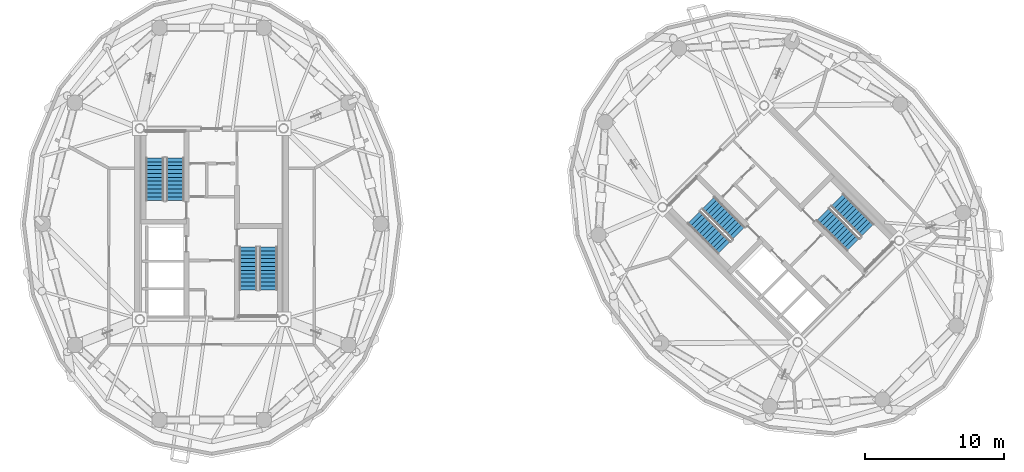
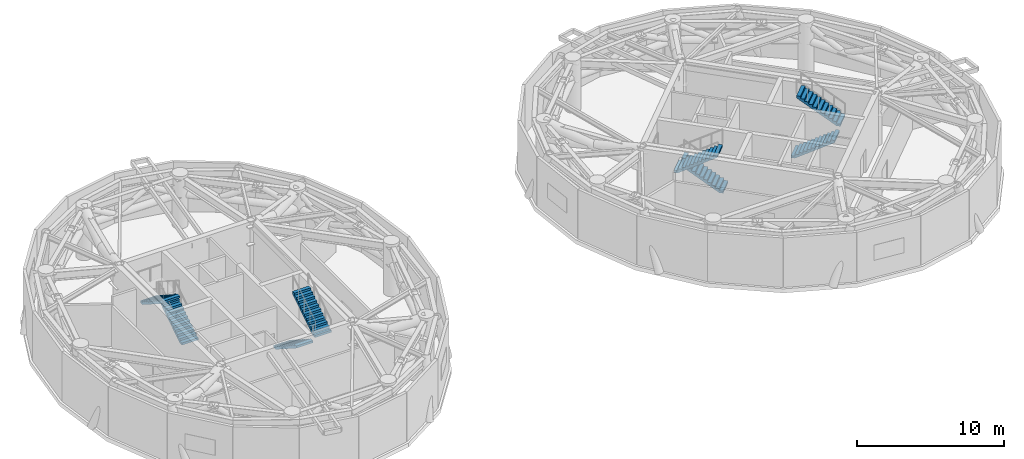
# One storey, part 11 of 14: 8 stair flights, 4 elements without a shape of their own.
"""IFC4 building model written with IfcOpenShell, lengths in metres."""

from ifc_helpers import new_model, si_unit, direction, frame, origin, place, context, subcontext, project, spatial, polyline, outline, extrude, material, type_object, element, aggregate, save


model = new_model("IFC4")

# Units and contexts
model_context = context("Model", 3, precision=1e-05, world=origin(), true_north=direction((0.0, 1.0)))
body_context = subcontext(model_context, "Body", "Model", "MODEL_VIEW")
ifc_project = project(units=[si_unit("LENGTHUNIT", "METRE"), si_unit("AREAUNIT", "SQUARE_METRE"), si_unit("VOLUMEUNIT", "CUBIC_METRE"), si_unit("PLANEANGLEUNIT", "RADIAN"), si_unit("MASSUNIT", "GRAM", prefix="KILO")], contexts=[model_context])

# Site, building, storey
site_placement = place(None, origin())
site = spatial("IfcSite", under=ifc_project, at=site_placement, CompositionType="ELEMENT")
building_placement = place(site_placement, origin())
building = spatial("IfcBuilding", under=site, at=building_placement, Name="Cununo Teusaquillo Station Towers", CompositionType="ELEMENT")
storey_placement = place(building_placement, frame((0.0, 0.0, 192.340087890625)))
storey = spatial("IfcBuildingStorey", under=building, at=storey_placement, Name="L61", CompositionType="ELEMENT", Elevation=192.340087890625)

# Stair, stair flights
ifc_material_1 = material(Name="Concrete C50/60", Category="concrete")
stair_type = type_object("IfcStairType", Name="ST-TWR-1300", PredefinedType="HALF_TURN_STAIR", material=ifc_material_1)
stair_1_placement = place(storey_placement, origin())
stair_1 = element("IfcStair", 1, at=stair_1_placement, inside=storey, type_object=stair_type, Name="L61 Tower A Protected Core Exit Stair 1", PredefinedType="HALF_TURN_STAIR")
ifc_material_2 = material(Name="Concrete C50/60", Category="concrete")
stair_flight_type = type_object("IfcStairFlightType", Name="SFL-TWR-1300", PredefinedType="STRAIGHT", material=ifc_material_2)
stair_flight_1_placement = place(storey_placement, frame((13.8701171875, 26.169921875, 0.0), z_axis=(0.0, 0.0, 1.0), x_axis=(0.0, 1.0, 0.0)))
stair_flight_1 = element("IfcStairFlight", 2, at=stair_flight_1_placement, type_object=stair_flight_type, Name="ST-T1-1 flight 1", NumberOfRisers=12, NumberOfTreads=11, PredefinedType="STRAIGHT", RiserHeight=0.18, TreadLength=0.28, context=body_context, shape_type="SweptSolid", body=[
    extrude(outline(polyline([(0.0, 0.0), (0.0, 0.179931640625), (0.280029296875, 0.179931640625), (0.280029296875, 0.360107421875), (0.56005859375, 0.360107421875), (0.56005859375, 0.5400390625), (0.840087890625, 0.5400390625), (0.840087890625, 0.719970703125), (1.1201171875, 0.719970703125), (1.1201171875, 0.89990234375), (1.39990234375, 0.89990234375), (1.39990234375, 1.080078125), (1.679931640625, 1.080078125), (1.679931640625, 1.260009765625), (1.9599609375, 1.260009765625), (1.9599609375, 1.43994140625), (2.239990234375, 1.43994140625), (2.239990234375, 1.6201171875), (2.52001953125, 1.6201171875), (2.52001953125, 1.800048828125), (2.800048828125, 1.800048828125), (2.800048828125, 1.97998046875), (3.080078125, 1.97998046875), (3.080078125, 2.159912109375), (3.080078125, 1.8017578125), (0.277099609375, 0.0), (0.0, 0.0)])), frame((0.0, 0.64990234375, 0.0), z_axis=(0.0, -1.0, 0.0), x_axis=(1.0, 0.0, 0.0)), (0.0, 0.0, 1.0), 1.300048828125),
])
stair_flight_2_placement = place(storey_placement, frame((12.409912109375, 29.25, 2.159912109375), z_axis=(0.0, 0.0, 1.0), x_axis=(0.0, -1.0, 0.0)))
stair_flight_2 = element("IfcStairFlight", 3, at=stair_flight_2_placement, type_object=stair_flight_type, Name="ST-T1-1 flight 2", NumberOfRisers=12, NumberOfTreads=11, PredefinedType="STRAIGHT", RiserHeight=0.18, TreadLength=0.28, context=body_context, shape_type="SweptSolid", body=[
    extrude(outline(polyline([(0.0, 0.0), (0.0, 0.179931640625), (0.280029296875, 0.179931640625), (0.280029296875, 0.360107421875), (0.56005859375, 0.360107421875), (0.56005859375, 0.5400390625), (0.840087890625, 0.5400390625), (0.840087890625, 0.719970703125), (1.1201171875, 0.719970703125), (1.1201171875, 0.89990234375), (1.39990234375, 0.89990234375), (1.39990234375, 1.080078125), (1.679931640625, 1.080078125), (1.679931640625, 1.260009765625), (1.9599609375, 1.260009765625), (1.9599609375, 1.43994140625), (2.239990234375, 1.43994140625), (2.239990234375, 1.6201171875), (2.52001953125, 1.6201171875), (2.52001953125, 1.800048828125), (2.800048828125, 1.800048828125), (2.800048828125, 1.97998046875), (3.080078125, 1.97998046875), (3.080078125, 2.159912109375), (3.080078125, 1.8017578125), (0.277099609375, 0.0), (0.0, 0.0)])), frame((0.0, 0.64990234375, 0.0), z_axis=(0.0, -1.0, 0.0), x_axis=(1.0, 0.0, 0.0)), (0.0, 0.0, 1.0), 1.300048828125),
])
aggregate(stair_1, [stair_flight_1, stair_flight_2])

stair_2_placement = place(storey_placement, origin())
stair_2 = element("IfcStair", 4, at=stair_2_placement, inside=storey, type_object=stair_type, Name="L61 Tower A Protected Core Exit Stair 2", PredefinedType="HALF_TURN_STAIR")
stair_flight_3_placement = place(storey_placement, frame((19.1298828125, 22.830078125, 0.0), z_axis=(0.0, 0.0, 1.0), x_axis=(0.0, -1.0, 0.0)))
stair_flight_3 = element("IfcStairFlight", 5, at=stair_flight_3_placement, type_object=stair_flight_type, Name="ST-T1-2 flight 1", NumberOfRisers=12, NumberOfTreads=11, PredefinedType="STRAIGHT", RiserHeight=0.18, TreadLength=0.28, context=body_context, shape_type="SweptSolid", body=[
    extrude(outline(polyline([(0.0, 0.0), (0.0, 0.179931640625), (0.280029296875, 0.179931640625), (0.280029296875, 0.360107421875), (0.56005859375, 0.360107421875), (0.56005859375, 0.5400390625), (0.840087890625, 0.5400390625), (0.840087890625, 0.719970703125), (1.1201171875, 0.719970703125), (1.1201171875, 0.89990234375), (1.39990234375, 0.89990234375), (1.39990234375, 1.080078125), (1.679931640625, 1.080078125), (1.679931640625, 1.260009765625), (1.9599609375, 1.260009765625), (1.9599609375, 1.43994140625), (2.239990234375, 1.43994140625), (2.239990234375, 1.6201171875), (2.52001953125, 1.6201171875), (2.52001953125, 1.800048828125), (2.800048828125, 1.800048828125), (2.800048828125, 1.97998046875), (3.080078125, 1.97998046875), (3.080078125, 2.159912109375), (3.080078125, 1.8017578125), (0.277099609375, 0.0), (0.0, 0.0)])), frame((0.0, 0.64990234375, 0.0), z_axis=(0.0, -1.0, 0.0), x_axis=(1.0, 0.0, 0.0)), (0.0, 0.0, 1.0), 1.300048828125),
])
stair_flight_4_placement = place(storey_placement, frame((20.590087890625, 19.75, 2.159912109375), z_axis=(0.0, 0.0, 1.0), x_axis=(0.0, 1.0, 0.0)))
stair_flight_4 = element("IfcStairFlight", 6, at=stair_flight_4_placement, type_object=stair_flight_type, Name="ST-T1-2 flight 2", NumberOfRisers=12, NumberOfTreads=11, PredefinedType="STRAIGHT", RiserHeight=0.18, TreadLength=0.28, context=body_context, shape_type="SweptSolid", body=[
    extrude(outline(polyline([(0.0, 0.0), (0.0, 0.179931640625), (0.280029296875, 0.179931640625), (0.280029296875, 0.360107421875), (0.56005859375, 0.360107421875), (0.56005859375, 0.5400390625), (0.840087890625, 0.5400390625), (0.840087890625, 0.719970703125), (1.1201171875, 0.719970703125), (1.1201171875, 0.89990234375), (1.39990234375, 0.89990234375), (1.39990234375, 1.080078125), (1.679931640625, 1.080078125), (1.679931640625, 1.260009765625), (1.9599609375, 1.260009765625), (1.9599609375, 1.43994140625), (2.239990234375, 1.43994140625), (2.239990234375, 1.6201171875), (2.52001953125, 1.6201171875), (2.52001953125, 1.800048828125), (2.800048828125, 1.800048828125), (2.800048828125, 1.97998046875), (3.080078125, 1.97998046875), (3.080078125, 2.159912109375), (3.080078125, 1.8017578125), (0.277099609375, 0.0), (0.0, 0.0)])), frame((0.0, 0.64990234375, 0.0), z_axis=(0.0, -1.0, 0.0), x_axis=(1.0, 0.0, 0.0)), (0.0, 0.0, 1.0), 1.300048828125),
])
aggregate(stair_2, [stair_flight_3, stair_flight_4])

stair_3_placement = place(storey_placement, origin())
stair_3 = element("IfcStair", 7, at=stair_3_placement, inside=storey, type_object=stair_type, Name="L61 Tower B Protected Core Exit Stair 1", PredefinedType="HALF_TURN_STAIR")
stair_flight_5_placement = place(storey_placement, frame((54.45947265625, 23.8212890625, 0.0), z_axis=(0.0, 0.0, 1.0), x_axis=(-0.707106781187, 0.707106781187, 0.0)))
stair_flight_5 = element("IfcStairFlight", 8, at=stair_flight_5_placement, type_object=stair_flight_type, Name="ST-T2-1 flight 1", NumberOfRisers=12, NumberOfTreads=11, PredefinedType="STRAIGHT", RiserHeight=0.18, TreadLength=0.28, context=body_context, shape_type="SweptSolid", body=[
    extrude(outline(polyline([(0.0, 0.0), (0.0, 0.179931640625), (0.280029296875, 0.179931640625), (0.280029296875, 0.360107421875), (0.56005859375, 0.360107421875), (0.56005859375, 0.5400390625), (0.840087890625, 0.5400390625), (0.840087890625, 0.719970703125), (1.1201171875, 0.719970703125), (1.1201171875, 0.89990234375), (1.39990234375, 0.89990234375), (1.39990234375, 1.080078125), (1.679931640625, 1.080078125), (1.679931640625, 1.260009765625), (1.9599609375, 1.260009765625), (1.9599609375, 1.43994140625), (2.239990234375, 1.43994140625), (2.239990234375, 1.6201171875), (2.52001953125, 1.6201171875), (2.52001953125, 1.800048828125), (2.800048828125, 1.800048828125), (2.800048828125, 1.97998046875), (3.080078125, 1.97998046875), (3.080078125, 2.159912109375), (3.080078125, 1.8017578125), (0.277099609375, 0.0), (0.0, 0.0)])), frame((0.0, 0.64990234375, 0.0), z_axis=(0.0, -1.0, 0.0), x_axis=(1.0, 0.0, 0.0)), (0.0, 0.0, 1.0), 1.300048828125),
])
stair_flight_6_placement = place(storey_placement, frame((51.249267578125, 24.966796875, 2.159912109375), z_axis=(0.0, 0.0, 1.0), x_axis=(0.707106781187, -0.707106781187, 0.0)))
stair_flight_6 = element("IfcStairFlight", 9, at=stair_flight_6_placement, type_object=stair_flight_type, Name="ST-T2-1 flight 2", NumberOfRisers=12, NumberOfTreads=11, PredefinedType="STRAIGHT", RiserHeight=0.18, TreadLength=0.28, context=body_context, shape_type="SweptSolid", body=[
    extrude(outline(polyline([(0.0, 0.0), (0.0, 0.179931640625), (0.280029296875, 0.179931640625), (0.280029296875, 0.360107421875), (0.56005859375, 0.360107421875), (0.56005859375, 0.5400390625), (0.840087890625, 0.5400390625), (0.840087890625, 0.719970703125), (1.1201171875, 0.719970703125), (1.1201171875, 0.89990234375), (1.39990234375, 0.89990234375), (1.39990234375, 1.080078125), (1.679931640625, 1.080078125), (1.679931640625, 1.260009765625), (1.9599609375, 1.260009765625), (1.9599609375, 1.43994140625), (2.239990234375, 1.43994140625), (2.239990234375, 1.6201171875), (2.52001953125, 1.6201171875), (2.52001953125, 1.800048828125), (2.800048828125, 1.800048828125), (2.800048828125, 1.97998046875), (3.080078125, 1.97998046875), (3.080078125, 2.159912109375), (3.080078125, 1.8017578125), (0.277099609375, 0.0), (0.0, 0.0)])), frame((0.0, 0.64990234375, 0.0), z_axis=(0.0, -1.0, 0.0), x_axis=(1.0, 0.0, 0.0)), (0.0, 0.0, 1.0), 1.300048828125),
])
aggregate(stair_3, [stair_flight_5, stair_flight_6])

stair_4_placement = place(storey_placement, origin())
stair_4 = element("IfcStair", 10, at=stair_4_placement, inside=storey, type_object=stair_type, Name="L61 Tower B Protected Core Exit Stair 2", PredefinedType="HALF_TURN_STAIR")
stair_flight_7_placement = place(storey_placement, frame((60.54052734375, 25.1787109375, 0.0), z_axis=(0.0, 0.0, 1.0), x_axis=(0.707106781187, -0.707106781187, 0.0)))
stair_flight_7 = element("IfcStairFlight", 11, at=stair_flight_7_placement, type_object=stair_flight_type, Name="ST-T2-2 flight 1", NumberOfRisers=12, NumberOfTreads=11, PredefinedType="STRAIGHT", RiserHeight=0.18, TreadLength=0.28, context=body_context, shape_type="SweptSolid", body=[
    extrude(outline(polyline([(0.0, 0.0), (0.0, 0.179931640625), (0.280029296875, 0.179931640625), (0.280029296875, 0.360107421875), (0.56005859375, 0.360107421875), (0.56005859375, 0.5400390625), (0.840087890625, 0.5400390625), (0.840087890625, 0.719970703125), (1.1201171875, 0.719970703125), (1.1201171875, 0.89990234375), (1.39990234375, 0.89990234375), (1.39990234375, 1.080078125), (1.679931640625, 1.080078125), (1.679931640625, 1.260009765625), (1.9599609375, 1.260009765625), (1.9599609375, 1.43994140625), (2.239990234375, 1.43994140625), (2.239990234375, 1.6201171875), (2.52001953125, 1.6201171875), (2.52001953125, 1.800048828125), (2.800048828125, 1.800048828125), (2.800048828125, 1.97998046875), (3.080078125, 1.97998046875), (3.080078125, 2.159912109375), (3.080078125, 1.8017578125), (0.277099609375, 0.0), (0.0, 0.0)])), frame((0.0, 0.64990234375, 0.0), z_axis=(0.0, -1.0, 0.0), x_axis=(1.0, 0.0, 0.0)), (0.0, 0.0, 1.0), 1.300048828125),
])
stair_flight_8_placement = place(storey_placement, frame((63.750732421875, 24.033203125, 2.159912109375), z_axis=(0.0, 0.0, 1.0), x_axis=(-0.707106781187, 0.707106781187, 0.0)))
stair_flight_8 = element("IfcStairFlight", 12, at=stair_flight_8_placement, type_object=stair_flight_type, Name="ST-T2-2 flight 2", NumberOfRisers=12, NumberOfTreads=11, PredefinedType="STRAIGHT", RiserHeight=0.18, TreadLength=0.28, context=body_context, shape_type="SweptSolid", body=[
    extrude(outline(polyline([(0.0, 0.0), (0.0, 0.179931640625), (0.280029296875, 0.179931640625), (0.280029296875, 0.360107421875), (0.56005859375, 0.360107421875), (0.56005859375, 0.5400390625), (0.840087890625, 0.5400390625), (0.840087890625, 0.719970703125), (1.1201171875, 0.719970703125), (1.1201171875, 0.89990234375), (1.39990234375, 0.89990234375), (1.39990234375, 1.080078125), (1.679931640625, 1.080078125), (1.679931640625, 1.260009765625), (1.9599609375, 1.260009765625), (1.9599609375, 1.43994140625), (2.239990234375, 1.43994140625), (2.239990234375, 1.6201171875), (2.52001953125, 1.6201171875), (2.52001953125, 1.800048828125), (2.800048828125, 1.800048828125), (2.800048828125, 1.97998046875), (3.080078125, 1.97998046875), (3.080078125, 2.159912109375), (3.080078125, 1.8017578125), (0.277099609375, 0.0), (0.0, 0.0)])), frame((0.0, 0.64990234375, 0.0), z_axis=(0.0, -1.0, 0.0), x_axis=(1.0, 0.0, 0.0)), (0.0, 0.0, 1.0), 1.300048828125),
])
aggregate(stair_4, [stair_flight_7, stair_flight_8])

save(model, "model.ifc")
